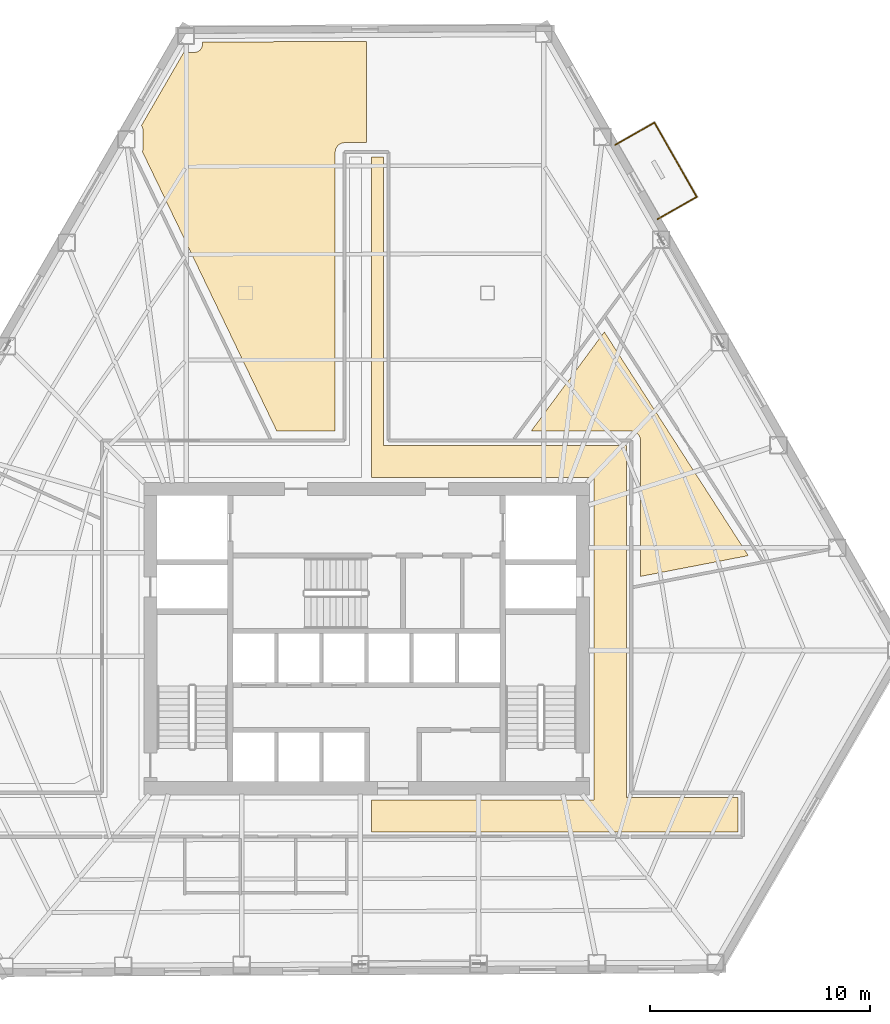
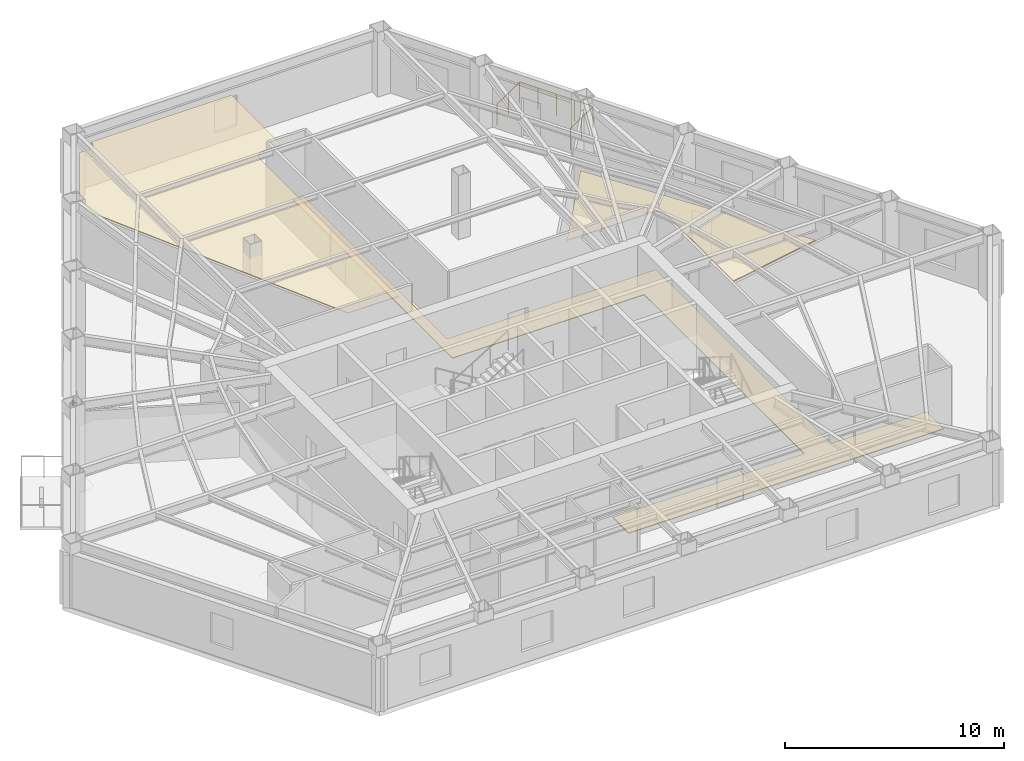
# One storey, part 11 of 11: 3 coverings, 3 railings.
"""IFC4 building model written with IfcOpenShell, lengths in metres."""

from ifc_helpers import new_model, si_unit, direction, frame, origin, origin_2d, place, context, subcontext, project, spatial, polyline, circle, outline, extrude, material, layer, layer_set, type_object, element, save


model = new_model("IFC4")

# Units and contexts
model_context = context("Model", 3, precision=1e-05, world=origin(), true_north=direction((0.0, 1.0)))
body_context = subcontext(model_context, "Body", "Model", "MODEL_VIEW")
ifc_project = project(units=[si_unit("LENGTHUNIT", "METRE"), si_unit("AREAUNIT", "SQUARE_METRE"), si_unit("VOLUMEUNIT", "CUBIC_METRE"), si_unit("PLANEANGLEUNIT", "RADIAN"), si_unit("MASSUNIT", "GRAM", prefix="KILO")], contexts=[model_context])

# Site, building, storey
site_placement = place(None, origin())
site = spatial("IfcSite", under=ifc_project, at=site_placement, CompositionType="ELEMENT")
building_placement = place(site_placement, origin())
building = spatial("IfcBuilding", under=site, at=building_placement, Name="Kavelnor Concourse Tower", CompositionType="ELEMENT")
storey_placement = place(building_placement, frame((0.0, 0.0, 9.85009765625)))
storey = spatial("IfcBuildingStorey", under=building, at=storey_placement, Name="L02", CompositionType="ELEMENT", Elevation=9.85009765625)

# Coverings
ifc_material_1 = material(Name="Mineral fibre acoustic ceiling tile")
ifc_layer_1 = layer(ifc_material_1, 0.0400390625, Name="Mineral fibre acoustic ceiling tile")
ifc_layer_set_1 = layer_set([ifc_layer_1], Name="Mineral fibre acoustic ceiling tile")
covering_type_1 = type_object("IfcCoveringType", Name="COV-CEILING-ACOUSTIC", PredefinedType="CEILING", material=ifc_layer_set_1)
covering_1_placement = place(storey_placement, frame((0.0, 0.0, 2.75)))
element("IfcCovering", 1, at=covering_1_placement, inside=storey, type_object=covering_type_1, Name="L02 Suspended Acoustic Ceiling", PredefinedType="CEILING", context=body_context, shape_type="SweptSolid", body=[
    extrude(outline(polyline([(50.434814453125, 25.1826171875), (50.4248046875, 25.222900390625), (50.41064453125, 25.26171875), (50.39306640625, 25.29931640625), (50.37158203125, 25.3349609375), (50.346923828125, 25.368408203125), (50.319091796875, 25.39892578125), (50.288330078125, 25.427001953125), (50.2548828125, 25.45166015625), (50.219482421875, 25.472900390625), (50.181884765625, 25.49072265625), (50.142822265625, 25.504638671875), (50.1025390625, 25.514892578125), (50.0615234375, 25.52099609375), (50.0283203125, 25.5224609375), (45.47314453125, 25.5224609375), (48.800048828125, 30.0283203125), (55.337890625, 19.868408203125), (50.4423828125, 18.923583984375), (50.4423828125, 25.1083984375), (50.44091796875, 25.1416015625), (50.434814453125, 25.1826171875)])), origin(), (0.0, 0.0, 1.0), 0.039794921875),
])
covering_2_placement = place(storey_placement, frame((0.0, 0.0, 2.75)))
element("IfcCovering", 2, at=covering_2_placement, inside=storey, type_object=covering_type_1, Name="L02 Suspended Acoustic Ceiling", PredefinedType="CEILING", context=body_context, shape_type="SweptSolid", body=[
    extrude(outline(polyline([(30.21875, 42.72998046875), (30.25390625, 42.735107421875), (30.2880859375, 42.74365234375), (30.3212890625, 42.755615234375), (30.353515625, 42.770751953125), (30.3837890625, 42.788818359375), (30.412109375, 42.81005859375), (30.438232421875, 42.833740234375), (30.462158203125, 42.860107421875), (30.483154296875, 42.888427734375), (30.50146484375, 42.918701171875), (30.5166015625, 42.95068359375), (30.5283203125, 42.98388671875), (30.537109375, 43.018310546875), (30.542236328125, 43.05322265625), (30.54345703125, 43.080322265625), (30.54345703125, 43.1923828125), (37.9951171875, 43.23046875), (37.9951171875, 38.62255859375), (36.99169921875, 38.62255859375), (36.95849609375, 38.620849609375), (36.91748046875, 38.61474609375), (36.877197265625, 38.604736328125), (36.838134765625, 38.5908203125), (36.800537109375, 38.572998046875), (36.764892578125, 38.551513671875), (36.731689453125, 38.52685546875), (36.700927734375, 38.4990234375), (36.673095703125, 38.46826171875), (36.6484375, 38.43505859375), (36.626953125, 38.3994140625), (36.609375, 38.36181640625), (36.59521484375, 38.32275390625), (36.585205078125, 38.282470703125), (36.5791015625, 38.241455078125), (36.577392578125, 38.208251953125), (36.577392578125, 25.5224609375), (33.926513671875, 25.5224609375), (27.815185546875, 38.222412109375), (27.822021484375, 38.236572265625), (27.833740234375, 38.27001953125), (27.84228515625, 38.30419921875), (27.84765625, 38.339111328125), (27.848876953125, 38.3662109375), (27.848876953125, 39.182861328125), (27.84765625, 39.209716796875), (27.84228515625, 39.244873046875), (27.833740234375, 39.279052734375), (27.822021484375, 39.3125), (27.806884765625, 39.344482421875), (27.78857421875, 39.374755859375), (27.772216796875, 39.396728515625), (29.698974609375, 42.728515625), (30.19189453125, 42.728515625), (30.21875, 42.72998046875)])), origin(), (0.0, 0.0, 1.0), 0.039794921875),
])
ifc_material_2 = material(Name="Honed bluestone and raised access floor finish", Category="masonry")
ifc_layer_2 = layer(ifc_material_2, 0.0400390625, Name="Honed bluestone and raised access floor finish")
ifc_layer_set_2 = layer_set([ifc_layer_2], Name="Honed bluestone and raised access floor finish")
covering_type_2 = type_object("IfcCoveringType", Name="COV-FLOOR-STONE", PredefinedType="FLOORING", material=ifc_layer_set_2)
covering_3_placement = place(storey_placement, frame((0.0, 0.0, 0.001953125)))
element("IfcCovering", 3, at=covering_3_placement, inside=storey, type_object=covering_type_2, Name="L02 Honed Bluestone Floor Finish", PredefinedType="FLOORING", context=body_context, shape_type="SweptSolid", body=[
    extrude(outline(polyline([(38.780029296875, 37.97998046875), (38.780029296875, 24.8798828125), (49.800048828125, 24.8798828125), (49.800048828125, 8.8798828125), (54.865966796875, 8.8798828125), (54.865966796875, 7.320068359375), (38.22509765625, 7.320068359375), (38.22509765625, 8.780029296875), (48.340087890625, 8.780029296875), (48.340087890625, 23.419921875), (38.22509765625, 23.419921875), (38.22509765625, 37.97998046875), (38.780029296875, 37.97998046875)])), origin(), (0.0, 0.0, 1.0), 0.0400390625),
])

# Railings
ifc_material_3 = material(Name="Architectural bronze-anodised aluminium", Category="aluminium")
railing_type = type_object("IfcRailingType", Name="RLG-TERRACE-1200", PredefinedType="BALUSTRADE", material=ifc_material_3)
railing_1_placement = place(storey_placement, frame((51.21728515625, 35.15087890625, 0.0)))
element("IfcRailing", 4, at=railing_1_placement, inside=storey, type_object=railing_type, Name="L02 Tree Balcony 1 Guardrail L", PredefinedType="BALUSTRADE", context=body_context, shape_type="SweptSolid", body=[
    extrude(circle(Radius=0.02392578125, at=origin_2d()), frame((0.0, 0.0, 1.17578125), z_axis=(0.868257798514, 0.496113288796, 0.0), x_axis=(-0.496113288796, 0.868257798514, 0.0)), (0.0, 0.0, 1.0), 2.050048828125),
    extrude(circle(Radius=0.02099609375, at=origin_2d()), origin(), (0.0, 0.0, 1.0), 1.15185546875),
    extrude(circle(Radius=0.02099609375, at=origin_2d()), frame((0.89013671875, 0.508544921875, 0.0)), (0.0, 0.0, 1.0), 1.15185546875),
    extrude(circle(Radius=0.02099609375, at=origin_2d()), frame((1.780029296875, 1.01708984375, 0.0)), (0.0, 0.0, 1.0), 1.15185546875),
])
railing_2_placement = place(storey_placement, frame((52.997314453125, 36.16796875, 0.0)))
element("IfcRailing", 5, at=railing_2_placement, inside=storey, type_object=railing_type, Name="L02 Tree Balcony 1 Guardrail F", PredefinedType="BALUSTRADE", context=body_context, shape_type="SweptSolid", body=[
    extrude(circle(Radius=0.02392578125, at=origin_2d()), frame((0.0, 0.0, 1.17578125), z_axis=(-0.49620669952, 0.868204417952, 0.0), x_axis=(-0.868204417952, -0.49620669952, 0.0)), (0.0, 0.0, 1.0), 3.880126953125),
    extrude(circle(Radius=0.02099609375, at=origin_2d()), origin(), (0.0, 0.0, 1.0), 1.15185546875),
    extrude(circle(Radius=0.02099609375, at=origin_2d()), frame((-0.4814453125, 0.84228515625, 0.0)), (0.0, 0.0, 1.0), 1.15185546875),
    extrude(circle(Radius=0.02099609375, at=origin_2d()), frame((-0.962646484375, 1.684326171875, 0.0)), (0.0, 0.0, 1.0), 1.15185546875),
    extrude(circle(Radius=0.02099609375, at=origin_2d()), frame((-1.44384765625, 2.5263671875, 0.0)), (0.0, 0.0, 1.0), 1.15185546875),
    extrude(circle(Radius=0.02099609375, at=origin_2d()), frame((-1.92529296875, 3.36865234375, 0.0)), (0.0, 0.0, 1.0), 1.15185546875),
])
railing_3_placement = place(storey_placement, frame((51.072021484375, 39.53662109375, 0.0)))
element("IfcRailing", 6, at=railing_3_placement, inside=storey, type_object=railing_type, Name="L02 Tree Balcony 1 Guardrail R", PredefinedType="BALUSTRADE", context=body_context, shape_type="SweptSolid", body=[
    extrude(circle(Radius=0.02392578125, at=origin_2d()), frame((0.0, 0.0, 1.17578125), z_axis=(-0.868228483462, -0.496164590137, 0.0), x_axis=(0.496164590137, -0.868228483462, 0.0)), (0.0, 0.0, 1.0), 2.0498046875),
    extrude(circle(Radius=0.02099609375, at=origin_2d()), origin(), (0.0, 0.0, 1.0), 1.15185546875),
    extrude(circle(Radius=0.02099609375, at=origin_2d()), frame((-0.889892578125, -0.508544921875, 0.0)), (0.0, 0.0, 1.0), 1.15185546875),
    extrude(circle(Radius=0.02099609375, at=origin_2d()), frame((-1.77978515625, -1.01708984375, 0.0)), (0.0, 0.0, 1.0), 1.15185546875),
])

save(model, "model.ifc")
